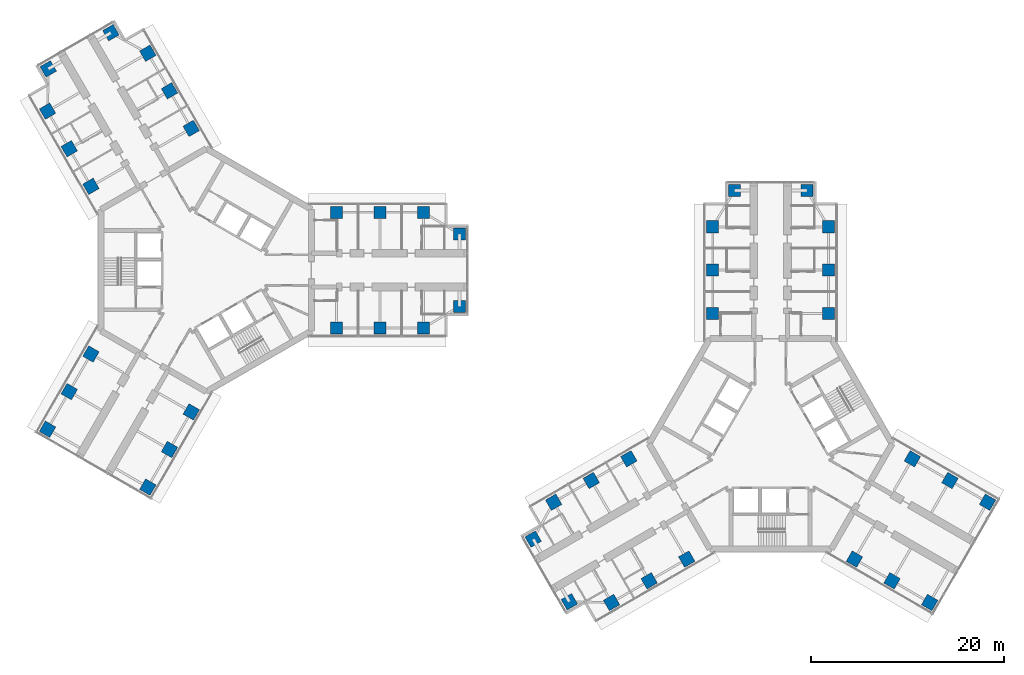
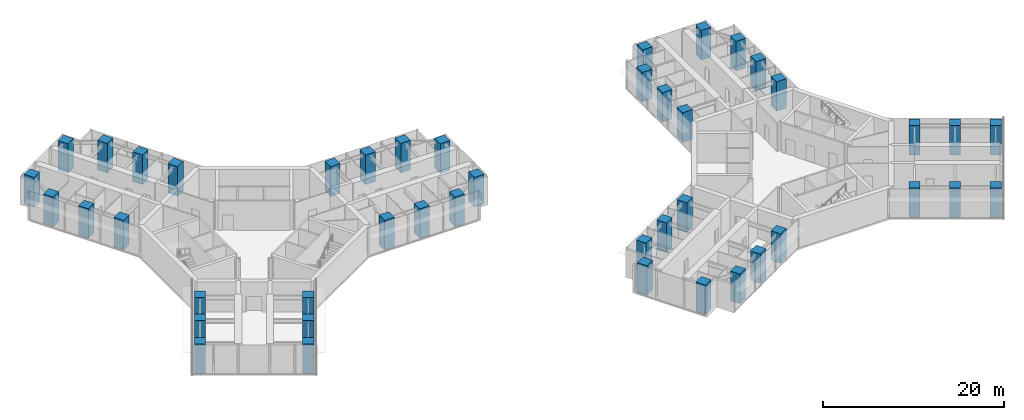
# One storey, part 1 of 23: 44 columns.
"""IFC4 building model written with IfcOpenShell, lengths in metres."""

from ifc_helpers import new_model, si_unit, direction, frame, origin, origin_2d, place, context, subcontext, project, spatial, rectangle, extrude, material, material_profile, profile_set, type_object, element, save


model = new_model("IFC4")

# Units and contexts
model_context = context("Model", 3, precision=1e-05, world=origin(), true_north=direction((0.0, 1.0)))
body_context = subcontext(model_context, "Body", "Model", "MODEL_VIEW")
ifc_project = project(units=[si_unit("LENGTHUNIT", "METRE"), si_unit("AREAUNIT", "SQUARE_METRE"), si_unit("VOLUMEUNIT", "CUBIC_METRE"), si_unit("PLANEANGLEUNIT", "RADIAN"), si_unit("MASSUNIT", "GRAM", prefix="KILO")], contexts=[model_context])

# Site, building, storey
site_placement = place(None, origin())
site = spatial("IfcSite", under=ifc_project, at=site_placement, CompositionType="ELEMENT")
building_placement = place(site_placement, origin())
building = spatial("IfcBuilding", under=site, at=building_placement, Name="Upepo Twin Towers", CompositionType="ELEMENT")
storey_placement = place(building_placement, frame((0.0, 0.0, 145.5)))
storey = spatial("IfcBuildingStorey", under=building, at=storey_placement, Name="L35", CompositionType="ELEMENT", Elevation=145.5)

# Columns
ifc_material = material(Name="Concrete C60/75", Category="concrete")
ifc_material_profile = material_profile(ifc_material, rectangle(XDim=1.25, YDim=1.25, at=origin_2d()), Name="RC 1250x1250")
ifc_profile_set = profile_set([ifc_material_profile], Name="Concrete C60/75")
column_type = type_object("IfcColumnType", Name="Tower column RC 1250x1250", PredefinedType="COLUMN", material=ifc_profile_set)
for number, where, z_axis, x_axis, name in (
    (1, (13.5, 6.0, 0.0), (0.0, 0.0, 1.0), (1.0, 0.0, 0.0), "T1 column AL135"),
    (2, (13.5, -6.0, 0.0), (0.0, 0.0, 1.0), (1.0, 0.0, 0.0), "T1 column AR135"),
    (3, (18.0, 6.0, 0.0), (0.0, 0.0, 1.0), (1.0, 0.0, 0.0), "T1 column AL180"),
    (4, (18.0, -6.0, 0.0), (0.0, 0.0, 1.0), (1.0, 0.0, 0.0), "T1 column AR180"),
    (5, (22.5, 6.0, 0.0), (0.0, 0.0, 1.0), (1.0, 0.0, 0.0), "T1 column AL225"),
    (6, (22.5, -6.0, 0.0), (0.0, 0.0, 1.0), (1.0, 0.0, 0.0), "T1 column AR225"),
    (7, (26.25, 3.75, 0.0), (0.0, 0.0, 1.0), (1.0, 0.0, 0.0), "T1 column ALN"),
    (8, (26.25, -3.75, 0.0), (0.0, 0.0, 1.0), (1.0, 0.0, 0.0), "T1 column ARN"),
    (9, (-11.946044921875, 8.69140625, 0.0), (0.0, 0.0, 1.0), (0.866025403784, 0.5, 0.0), "T1 column BL135"),
    (10, (-1.553955078125, 14.69140625, 0.0), (0.0, 0.0, 1.0), (0.866025403784, 0.5, 0.0), "T1 column BR135"),
    (11, (-14.196044921875, 12.58837890625, 0.0), (0.0, 0.0, 1.0), (0.866025403784, 0.5, 0.0), "T1 column BL180"),
    (12, (-3.803955078125, 18.58837890625, 0.0), (0.0, 0.0, 1.0), (0.866025403784, 0.5, 0.0), "T1 column BR180"),
    (13, (-16.446044921875, 16.485595703125, 0.0), (0.0, 0.0, 1.0), (0.866025403784, 0.5, 0.0), "T1 column BL225"),
    (14, (-6.053955078125, 22.485595703125, 0.0), (0.0, 0.0, 1.0), (0.866025403784, 0.5, 0.0), "T1 column BR225"),
    (15, (-16.37255859375, 20.858154296875, 0.0), (0.0, 0.0, 1.0), (0.866025403784, 0.5, 0.0), "T1 column BLN"),
    (16, (-9.87744140625, 24.608154296875, 0.0), (0.0, 0.0, 1.0), (0.866025403784, 0.5, 0.0), "T1 column BRN"),
    (17, (-1.553955078125, -14.69140625, 0.0), (0.0, 0.0, 1.0), (0.5, 0.866025403784, 0.0), "T1 column CL135"),
    (18, (-11.946044921875, -8.69140625, 0.0), (0.0, 0.0, 1.0), (0.5, 0.866025403784, 0.0), "T1 column CR135"),
    (19, (-3.803955078125, -18.58837890625, 0.0), (0.0, 0.0, 1.0), (0.5, 0.866025403784, 0.0), "T1 column CL180"),
    (20, (-14.196044921875, -12.58837890625, 0.0), (0.0, 0.0, 1.0), (0.5, 0.866025403784, 0.0), "T1 column CR180"),
    (21, (-6.053955078125, -22.485595703125, 0.0), (0.0, 0.0, 1.0), (0.5, 0.866025403784, 0.0), "T1 column CL225"),
    (22, (-16.446044921875, -16.485595703125, 0.0), (0.0, 0.0, 1.0), (0.5, 0.866025403784, 0.0), "T1 column CR225"),
    (23, (52.5, -4.5, 0.0), (0.0, 0.0, 1.0), (1.0, 0.0, 0.0), "T2 column AL135"),
    (24, (64.5, -4.5, 0.0), (0.0, 0.0, 1.0), (1.0, 0.0, 0.0), "T2 column AR135"),
    (25, (52.5, 0.0, 0.0), (0.0, 0.0, 1.0), (1.0, 0.0, 0.0), "T2 column AL180"),
    (26, (64.5, 0.0, 0.0), (0.0, 0.0, 1.0), (1.0, 0.0, 0.0), "T2 column AR180"),
    (27, (52.5, 4.5, 0.0), (0.0, 0.0, 1.0), (1.0, 0.0, 0.0), "T2 column AL225"),
    (28, (64.5, 4.5, 0.0), (0.0, 0.0, 1.0), (1.0, 0.0, 0.0), "T2 column AR225"),
    (29, (54.75, 8.25, 0.0), (0.0, 0.0, 1.0), (1.0, 0.0, 0.0), "T2 column ALN"),
    (30, (62.25, 8.25, 0.0), (0.0, 0.0, 1.0), (1.0, 0.0, 0.0), "T2 column ARN"),
    (31, (49.80859375, -29.946044921875, 0.0), (0.0, 0.0, 1.0), (0.866025403784, 0.5, 0.0), "T2 column BL135"),
    (32, (43.80859375, -19.553955078125, 0.0), (0.0, 0.0, 1.0), (0.866025403784, 0.5, 0.0), "T2 column BR135"),
    (33, (45.91162109375, -32.196044921875, 0.0), (0.0, 0.0, 1.0), (0.866025403784, 0.5, 0.0), "T2 column BL180"),
    (34, (39.91162109375, -21.803955078125, 0.0), (0.0, 0.0, 1.0), (0.866025403784, 0.5, 0.0), "T2 column BR180"),
    (35, (42.014404296875, -34.446044921875, 0.0), (0.0, 0.0, 1.0), (0.866025403784, 0.5, 0.0), "T2 column BL225"),
    (36, (36.014404296875, -24.053955078125, 0.0), (0.0, 0.0, 1.0), (0.866025403784, 0.5, 0.0), "T2 column BR225"),
    (37, (37.641845703125, -34.37255859375, 0.0), (0.0, 0.0, 1.0), (0.866025403784, 0.5, 0.0), "T2 column BLN"),
    (38, (33.891845703125, -27.87744140625, 0.0), (0.0, 0.0, 1.0), (0.866025403784, 0.5, 0.0), "T2 column BRN"),
    (39, (73.19140625, -19.553955078125, 0.0), (0.0, 0.0, 1.0), (0.5, 0.866025403784, 0.0), "T2 column CL135"),
    (40, (67.19140625, -29.946044921875, 0.0), (0.0, 0.0, 1.0), (0.5, 0.866025403784, 0.0), "T2 column CR135"),
    (41, (77.08837890625, -21.803955078125, 0.0), (0.0, 0.0, 1.0), (0.5, 0.866025403784, 0.0), "T2 column CL180"),
    (42, (71.08837890625, -32.196044921875, 0.0), (0.0, 0.0, 1.0), (0.5, 0.866025403784, 0.0), "T2 column CR180"),
    (43, (80.985595703125, -24.053955078125, 0.0), (0.0, 0.0, 1.0), (0.5, 0.866025403784, 0.0), "T2 column CL225"),
    (44, (74.985595703125, -34.446044921875, 0.0), (0.0, 0.0, 1.0), (0.5, 0.866025403784, 0.0), "T2 column CR225"),
):
    element("IfcColumn", number, at=place(storey_placement, frame(where, z_axis=z_axis, x_axis=x_axis)), inside=storey, type_object=column_type, Name=name, PredefinedType="COLUMN", context=body_context, shape_type="SweptSolid", body=[
        extrude(rectangle(XDim=1.25, YDim=1.25, at=origin_2d()), origin(), (0.0, 0.0, 1.0), 4.0),
    ])

save(model, "model.ifc")
